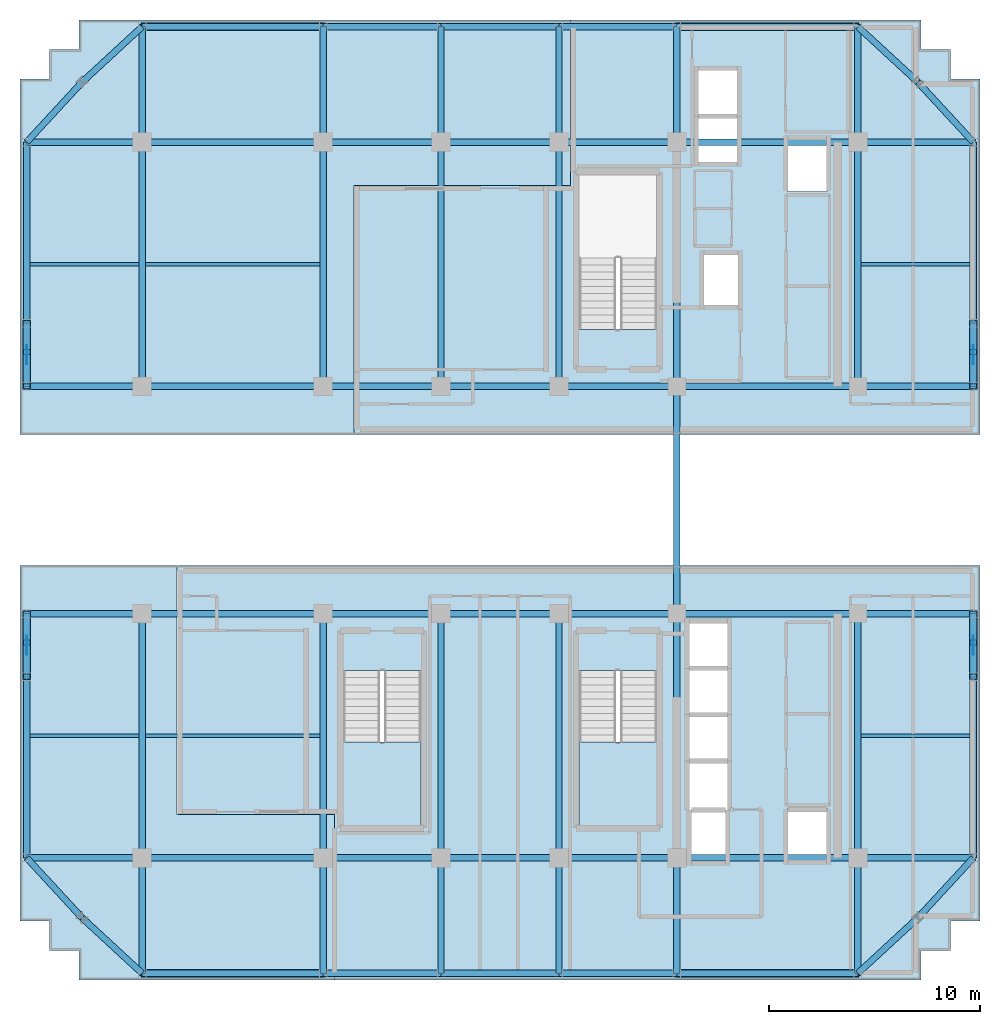
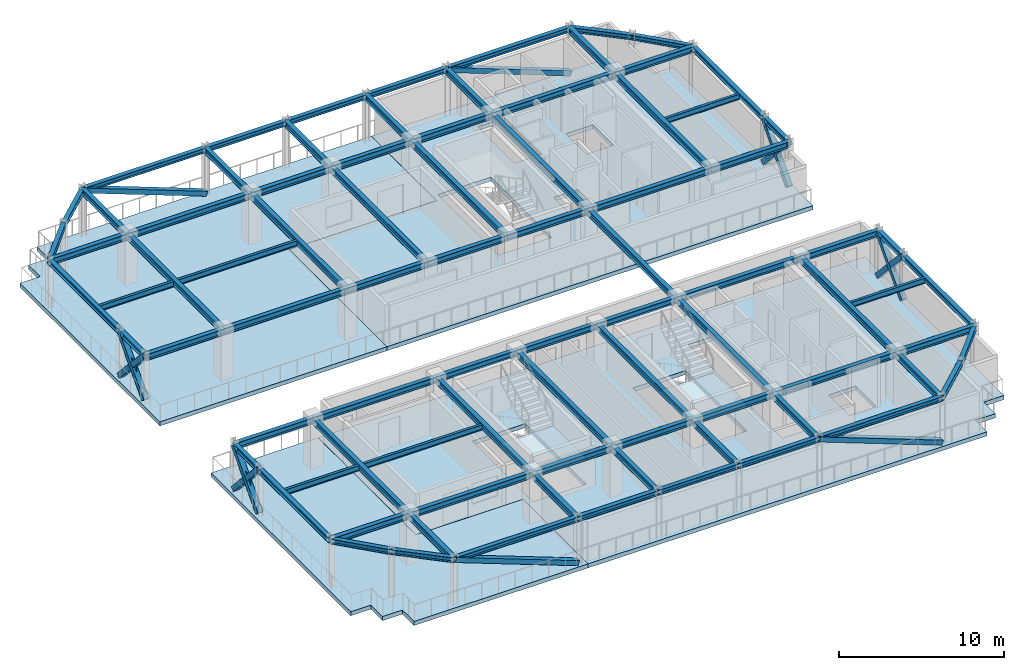
# One storey, part 4 of 14: 85 beams, 16 members, 6 slabs, 4 plates, 2 elements without a shape of their own.
"""IFC4 building model written with IfcOpenShell, lengths in metres."""

from ifc_helpers import new_model, si_unit, direction, frame, origin, origin_2d, place, context, subcontext, project, spatial, polyline, rectangle, hollow_rectangle, i_section, outline, extrude, source, transform, mapped, material, layer, layer_set, material_profile, profile_set, type_object, element, aggregate, save


model = new_model("IFC4")

# Units and contexts
model_context = context("Model", 3, precision=1e-05, world=origin(), true_north=direction((0.0, 1.0)))
body_context = subcontext(model_context, "Body", "Model", "MODEL_VIEW")
ifc_project = project(units=[si_unit("LENGTHUNIT", "METRE"), si_unit("AREAUNIT", "SQUARE_METRE"), si_unit("VOLUMEUNIT", "CUBIC_METRE"), si_unit("PLANEANGLEUNIT", "RADIAN"), si_unit("MASSUNIT", "GRAM", prefix="KILO")], contexts=[model_context])

# Site, building, storey
site_placement = place(None, origin())
site = spatial("IfcSite", under=ifc_project, at=site_placement, CompositionType="ELEMENT")
building_placement = place(site_placement, origin())
building = spatial("IfcBuilding", under=site, at=building_placement, Name="Nahalor Promenade Grand Hotel", CompositionType="ELEMENT")
storey_placement = place(building_placement, frame((0.0, 0.0, 300.35009765625)))
storey = spatial("IfcBuildingStorey", under=building, at=storey_placement, Name="L77", CompositionType="ELEMENT", Elevation=300.35009765625)

# Beams
ifc_material_1 = material(Name="Steel S355JR", Category="steel")
ifc_material_profile_1 = material_profile(ifc_material_1, i_section(OverallWidth=0.3, OverallDepth=0.45, WebThickness=0.014, FlangeThickness=0.026, at=origin_2d()), Name="HEB 450")
ifc_profile_set_1 = profile_set([ifc_material_profile_1], Name="Steel S355JR")
beam_type_1 = type_object("IfcBeamType", Name="Beam-Girder-HEB450", PredefinedType="BEAM", material=ifc_profile_set_1)
shared_shape_1 = source(origin(), body_context, "Body", "SweptSolid", [
    extrude(i_section(OverallWidth=0.3, OverallDepth=0.45, WebThickness=0.014, FlangeThickness=0.026, at=origin_2d()), origin(), (0.0, 0.0, 1.0), 8.60009765625),
])
for number, where, z_axis, x_axis, name in (
    (1, (-17.0, -17.0, 3.324951171875), (1.0, 0.0, 0.0), (0.0, 1.0, 0.0), "BM-L77-GX-0-1"),
    (2, (8.39990234375, -17.0, 3.324951171875), (1.0, 0.0, 0.0), (0.0, 1.0, 0.0), "BM-L77-GX-0-5"),
    (3, (-17.0, -5.39990234375, 3.324951171875), (1.0, 0.0, 0.0), (0.0, 1.0, 0.0), "BM-L77-GX-1-1"),
    (4, (8.39990234375, -5.39990234375, 3.324951171875), (1.0, 0.0, 0.0), (0.0, 1.0, 0.0), "BM-L77-GX-1-5"),
    (5, (-17.0, 5.39990234375, 3.324951171875), (1.0, 0.0, 0.0), (0.0, 1.0, 0.0), "BM-L77-GX-2-1"),
    (6, (8.39990234375, 5.39990234375, 3.324951171875), (1.0, 0.0, 0.0), (0.0, 1.0, 0.0), "BM-L77-GX-2-5"),
    (7, (-17.0, 17.0, 3.324951171875), (1.0, 0.0, 0.0), (0.0, 1.0, 0.0), "BM-L77-GX-3-1"),
    (8, (8.39990234375, 17.0, 3.324951171875), (1.0, 0.0, 0.0), (0.0, 1.0, 0.0), "BM-L77-GX-3-5"),
):
    element("IfcBeam", number, at=place(storey_placement, frame(where, z_axis=z_axis, x_axis=x_axis)), inside=storey, type_object=beam_type_1, Name=name, PredefinedType="BEAM", context=body_context, shape_type="MappedRepresentation", body=[
        mapped(shared_shape_1, transform((0.0, 0.0, 0.0), scale=1.0)),
    ])
shared_shape_2 = source(origin(), body_context, "Body", "SweptSolid", [
    extrude(i_section(OverallWidth=0.3, OverallDepth=0.45, WebThickness=0.014, FlangeThickness=0.026, at=origin_2d()), origin(), (0.0, 0.0, 1.0), 5.599853515625),
])
for number, where, z_axis, x_axis, name in (
    (9, (-8.39990234375, -17.0, 3.324951171875), (1.0, 0.0, 0.0), (0.0, 1.0, 0.0), "BM-L77-GX-0-2"),
    (10, (2.800048828125, -17.0, 3.324951171875), (1.0, 0.0, 0.0), (0.0, 1.0, 0.0), "BM-L77-GX-0-4"),
    (11, (-8.39990234375, -5.39990234375, 3.324951171875), (1.0, 0.0, 0.0), (0.0, 1.0, 0.0), "BM-L77-GX-1-2"),
    (12, (2.800048828125, -5.39990234375, 3.324951171875), (1.0, 0.0, 0.0), (0.0, 1.0, 0.0), "BM-L77-GX-1-4"),
    (13, (-8.39990234375, 5.39990234375, 3.324951171875), (1.0, 0.0, 0.0), (0.0, 1.0, 0.0), "BM-L77-GX-2-2"),
    (14, (2.800048828125, 5.39990234375, 3.324951171875), (1.0, 0.0, 0.0), (0.0, 1.0, 0.0), "BM-L77-GX-2-4"),
    (15, (-8.39990234375, 17.0, 3.324951171875), (1.0, 0.0, 0.0), (0.0, 1.0, 0.0), "BM-L77-GX-3-2"),
    (16, (2.800048828125, 17.0, 3.324951171875), (1.0, 0.0, 0.0), (0.0, 1.0, 0.0), "BM-L77-GX-3-4"),
):
    element("IfcBeam", number, at=place(storey_placement, frame(where, z_axis=z_axis, x_axis=x_axis)), inside=storey, type_object=beam_type_1, Name=name, PredefinedType="BEAM", context=body_context, shape_type="MappedRepresentation", body=[
        mapped(shared_shape_2, transform((0.0, 0.0, 0.0), scale=1.0)),
    ])
shared_shape_3 = source(origin(), body_context, "Body", "SweptSolid", [
    extrude(i_section(OverallWidth=0.3, OverallDepth=0.45, WebThickness=0.014, FlangeThickness=0.026, at=origin_2d()), origin(), (0.0, 0.0, 1.0), 5.60009765625),
])
for number, where, z_axis, x_axis, name in (
    (17, (-2.800048828125, -17.0, 3.324951171875), (1.0, 0.0, 0.0), (0.0, 1.0, 0.0), "BM-L77-GX-0-3"),
    (18, (-2.800048828125, -5.39990234375, 3.324951171875), (1.0, 0.0, 0.0), (0.0, 1.0, 0.0), "BM-L77-GX-1-3"),
    (19, (-2.800048828125, 5.39990234375, 3.324951171875), (1.0, 0.0, 0.0), (0.0, 1.0, 0.0), "BM-L77-GX-2-3"),
    (20, (-2.800048828125, 17.0, 3.324951171875), (1.0, 0.0, 0.0), (0.0, 1.0, 0.0), "BM-L77-GX-3-3"),
):
    element("IfcBeam", number, at=place(storey_placement, frame(where, z_axis=z_axis, x_axis=x_axis)), inside=storey, type_object=beam_type_1, Name=name, PredefinedType="BEAM", context=body_context, shape_type="MappedRepresentation", body=[
        mapped(shared_shape_3, transform((0.0, 0.0, 0.0), scale=1.0)),
    ])
shared_shape_4 = source(origin(), body_context, "Body", "SweptSolid", [
    extrude(i_section(OverallWidth=0.3, OverallDepth=0.45, WebThickness=0.014, FlangeThickness=0.026, at=origin_2d()), origin(), (0.0, 0.0, 1.0), 11.60009765625),
])
for number, where, z_axis, x_axis, name in (
    (21, (-17.0, -17.0, 3.324951171875), (0.0, 1.0, 0.0), (-1.0, 0.0, 0.0), "BM-L77-GY-0-1"),
    (22, (-17.0, 5.39990234375, 3.324951171875), (0.0, 1.0, 0.0), (-1.0, 0.0, 0.0), "BM-L77-GY-0-3"),
    (23, (-8.39990234375, -17.0, 3.324951171875), (0.0, 1.0, 0.0), (-1.0, 0.0, 0.0), "BM-L77-GY-1-1"),
    (24, (-8.39990234375, 5.39990234375, 3.324951171875), (0.0, 1.0, 0.0), (-1.0, 0.0, 0.0), "BM-L77-GY-1-3"),
    (25, (-2.800048828125, -17.0, 3.324951171875), (0.0, 1.0, 0.0), (-1.0, 0.0, 0.0), "BM-L77-GY-2-1"),
    (26, (-2.800048828125, 5.39990234375, 3.324951171875), (0.0, 1.0, 0.0), (-1.0, 0.0, 0.0), "BM-L77-GY-2-3"),
    (27, (2.800048828125, -17.0, 3.324951171875), (0.0, 1.0, 0.0), (-1.0, 0.0, 0.0), "BM-L77-GY-3-1"),
    (28, (2.800048828125, 5.39990234375, 3.324951171875), (0.0, 1.0, 0.0), (-1.0, 0.0, 0.0), "BM-L77-GY-3-3"),
    (29, (8.39990234375, -17.0, 3.324951171875), (0.0, 1.0, 0.0), (-1.0, 0.0, 0.0), "BM-L77-GY-4-1"),
    (30, (8.39990234375, 5.39990234375, 3.324951171875), (0.0, 1.0, 0.0), (-1.0, 0.0, 0.0), "BM-L77-GY-4-3"),
    (31, (17.0, -17.0, 3.324951171875), (0.0, 1.0, 0.0), (-1.0, 0.0, 0.0), "BM-L77-GY-5-1"),
    (32, (17.0, 5.39990234375, 3.324951171875), (0.0, 1.0, 0.0), (-1.0, 0.0, 0.0), "BM-L77-GY-5-3"),
):
    element("IfcBeam", number, at=place(storey_placement, frame(where, z_axis=z_axis, x_axis=x_axis)), inside=storey, type_object=beam_type_1, Name=name, PredefinedType="BEAM", context=body_context, shape_type="MappedRepresentation", body=[
        mapped(shared_shape_4, transform((0.0, 0.0, 0.0), scale=1.0)),
    ])
shared_shape_5 = source(origin(), body_context, "Body", "SweptSolid", [
    extrude(i_section(OverallWidth=0.3, OverallDepth=0.45, WebThickness=0.014, FlangeThickness=0.026, at=origin_2d()), origin(), (0.0, 0.0, 1.0), 10.7998046875),
])
beam_placement = place(storey_placement, frame((8.39990234375, -5.39990234375, 3.324951171875), z_axis=(0.0, 1.0, 0.0), x_axis=(-1.0, 0.0, 0.0)))
element("IfcBeam", 33, at=beam_placement, inside=storey, type_object=beam_type_1, Name="BM-L77-GY-4-2", PredefinedType="BEAM", context=body_context, shape_type="MappedRepresentation", body=[
    mapped(shared_shape_5, transform((0.0, 0.0, 0.0), scale=1.0)),
])
ifc_material_profile_2 = material_profile(ifc_material_1, i_section(OverallWidth=0.18, OverallDepth=0.4, WebThickness=0.0086, FlangeThickness=0.0135, at=origin_2d()), Name="IPE 400")
ifc_profile_set_2 = profile_set([ifc_material_profile_2], Name="Steel S355JR")
beam_type_2 = type_object("IfcBeamType", Name="Beam-Joist-IPE400", PredefinedType="JOIST", material=ifc_profile_set_2)
shared_shape_6 = source(origin(), body_context, "Body", "SweptSolid", [
    extrude(i_section(OverallWidth=0.18, OverallDepth=0.4, WebThickness=0.0086, FlangeThickness=0.0135, at=origin_2d()), origin(), (0.0, 0.0, 1.0), 8.300048828125),
])
for number, where, z_axis, x_axis, name in (
    (34, (-16.85009765625, -11.199951171875, 3.349853515625), (1.0, 0.0, 0.0), (0.0, 1.0, 0.0), "BM-L77-JSW-0-1"),
    (35, (-16.85009765625, 11.199951171875, 3.349853515625), (1.0, 0.0, 0.0), (0.0, 1.0, 0.0), "BM-L77-JSW-1-1"),
):
    element("IfcBeam", number, at=place(storey_placement, frame(where, z_axis=z_axis, x_axis=x_axis)), inside=storey, type_object=beam_type_2, Name=name, PredefinedType="JOIST", context=body_context, shape_type="MappedRepresentation", body=[
        mapped(shared_shape_6, transform((0.0, 0.0, 0.0), scale=1.0)),
    ])
shared_shape_7 = source(origin(), body_context, "Body", "SweptSolid", [
    extrude(i_section(OverallWidth=0.3, OverallDepth=0.45, WebThickness=0.014, FlangeThickness=0.026, at=origin_2d()), origin(), (0.0, 0.0, 1.0), 5.47998046875),
])
for number, where, z_axis, x_axis, name in (
    (36, (-22.47998046875, -17.0, 3.324951171875), (1.0, 0.0, 0.0), (0.0, 1.0, 0.0), "BM-L77-GX-0-0"),
    (37, (17.0, -17.0, 3.324951171875), (1.0, 0.0, 0.0), (0.0, 1.0, 0.0), "BM-L77-GX-0-6"),
    (38, (-22.47998046875, -5.39990234375, 3.324951171875), (1.0, 0.0, 0.0), (0.0, 1.0, 0.0), "BM-L77-GX-1-0"),
    (39, (17.0, -5.39990234375, 3.324951171875), (1.0, 0.0, 0.0), (0.0, 1.0, 0.0), "BM-L77-GX-1-6"),
    (40, (-22.47998046875, 5.39990234375, 3.324951171875), (1.0, 0.0, 0.0), (0.0, 1.0, 0.0), "BM-L77-GX-2-0"),
    (41, (17.0, 5.39990234375, 3.324951171875), (1.0, 0.0, 0.0), (0.0, 1.0, 0.0), "BM-L77-GX-2-6"),
    (42, (-22.47998046875, 17.0, 3.324951171875), (1.0, 0.0, 0.0), (0.0, 1.0, 0.0), "BM-L77-GX-3-0"),
    (43, (17.0, 17.0, 3.324951171875), (1.0, 0.0, 0.0), (0.0, 1.0, 0.0), "BM-L77-GX-3-6"),
    (44, (-17.0, -22.47998046875, 3.324951171875), (0.0, 1.0, 0.0), (-1.0, 0.0, 0.0), "BM-L77-GY-0-0"),
    (45, (-17.0, 17.0, 3.324951171875), (0.0, 1.0, 0.0), (-1.0, 0.0, 0.0), "BM-L77-GY-0-4"),
    (46, (-8.39990234375, -22.47998046875, 3.324951171875), (0.0, 1.0, 0.0), (-1.0, 0.0, 0.0), "BM-L77-GY-1-0"),
    (47, (-8.39990234375, 17.0, 3.324951171875), (0.0, 1.0, 0.0), (-1.0, 0.0, 0.0), "BM-L77-GY-1-4"),
    (48, (-2.800048828125, -22.47998046875, 3.324951171875), (0.0, 1.0, 0.0), (-1.0, 0.0, 0.0), "BM-L77-GY-2-0"),
    (49, (-2.800048828125, 17.0, 3.324951171875), (0.0, 1.0, 0.0), (-1.0, 0.0, 0.0), "BM-L77-GY-2-4"),
    (50, (2.800048828125, -22.47998046875, 3.324951171875), (0.0, 1.0, 0.0), (-1.0, 0.0, 0.0), "BM-L77-GY-3-0"),
    (51, (2.800048828125, 17.0, 3.324951171875), (0.0, 1.0, 0.0), (-1.0, 0.0, 0.0), "BM-L77-GY-3-4"),
    (52, (8.39990234375, -22.47998046875, 3.324951171875), (0.0, 1.0, 0.0), (-1.0, 0.0, 0.0), "BM-L77-GY-4-0"),
    (53, (8.39990234375, 17.0, 3.324951171875), (0.0, 1.0, 0.0), (-1.0, 0.0, 0.0), "BM-L77-GY-4-4"),
    (54, (17.0, -22.47998046875, 3.324951171875), (0.0, 1.0, 0.0), (-1.0, 0.0, 0.0), "BM-L77-GY-5-0"),
    (55, (17.0, 17.0, 3.324951171875), (0.0, 1.0, 0.0), (-1.0, 0.0, 0.0), "BM-L77-GY-5-4"),
):
    element("IfcBeam", number, at=place(storey_placement, frame(where, z_axis=z_axis, x_axis=x_axis)), inside=storey, type_object=beam_type_1, Name=name, PredefinedType="BEAM", context=body_context, shape_type="MappedRepresentation", body=[
        mapped(shared_shape_7, transform((0.0, 0.0, 0.0), scale=1.0)),
    ])
shared_shape_8 = source(origin(), body_context, "Body", "SweptSolid", [
    extrude(i_section(OverallWidth=0.18, OverallDepth=0.4, WebThickness=0.0086, FlangeThickness=0.0135, at=origin_2d()), origin(), (0.0, 0.0, 1.0), 5.18017578125),
])
for number, where, z_axis, x_axis, name in (
    (56, (-22.330078125, -11.199951171875, 3.349853515625), (1.0, 0.0, 0.0), (0.0, 1.0, 0.0), "BM-L77-JSW-0-0"),
    (57, (17.14990234375, -11.199951171875, 3.349853515625), (1.0, 0.0, 0.0), (0.0, 1.0, 0.0), "BM-L77-JSE-0-2"),
    (58, (-22.330078125, 11.199951171875, 3.349853515625), (1.0, 0.0, 0.0), (0.0, 1.0, 0.0), "BM-L77-JSW-1-0"),
    (59, (17.14990234375, 11.199951171875, 3.349853515625), (1.0, 0.0, 0.0), (0.0, 1.0, 0.0), "BM-L77-JSE-1-2"),
):
    element("IfcBeam", number, at=place(storey_placement, frame(where, z_axis=z_axis, x_axis=x_axis)), inside=storey, type_object=beam_type_2, Name=name, PredefinedType="JOIST", context=body_context, shape_type="MappedRepresentation", body=[
        mapped(shared_shape_8, transform((0.0, 0.0, 0.0), scale=1.0)),
    ])
ifc_material_profile_3 = material_profile(ifc_material_1, i_section(OverallWidth=0.3, OverallDepth=0.36, WebThickness=0.0125, FlangeThickness=0.0225, at=origin_2d()), Name="HEB 360")
ifc_profile_set_3 = profile_set([ifc_material_profile_3], Name="Steel S355JR")
beam_type_3 = type_object("IfcBeamType", Name="Beam-Spandrel-HEB360", PredefinedType="SPANDREL", material=ifc_profile_set_3)
shared_shape_9 = source(origin(), body_context, "Body", "SweptSolid", [
    extrude(i_section(OverallWidth=0.3, OverallDepth=0.36, WebThickness=0.0125, FlangeThickness=0.0225, at=origin_2d()), origin(), (0.0, 0.0, 1.0), 8.60009765625),
])
for number, where, z_axis, x_axis, name in (
    (60, (-17.0, -22.47998046875, 3.369873046875), (1.0, 0.0, 0.0), (0.0, 1.0, 0.0), "BM-L77-SP-S-0"),
    (61, (8.39990234375, -22.47998046875, 3.369873046875), (1.0, 0.0, 0.0), (0.0, 1.0, 0.0), "BM-L77-SP-S-4"),
    (62, (-17.0, 22.47998046875, 3.369873046875), (1.0, 0.0, 0.0), (0.0, 1.0, 0.0), "BM-L77-SP-N-0"),
    (63, (8.39990234375, 22.47998046875, 3.369873046875), (1.0, 0.0, 0.0), (0.0, 1.0, 0.0), "BM-L77-SP-N-4"),
    (64, (-22.47998046875, -17.0, 3.369873046875), (0.0, 1.0, 0.0), (-1.0, 0.0, 0.0), "BM-L77-SP-W-0"),
    (65, (-22.47998046875, 8.39990234375, 3.369873046875), (0.0, 1.0, 0.0), (-1.0, 0.0, 0.0), "BM-L77-SP-W-4"),
    (66, (22.47998046875, -17.0, 3.369873046875), (0.0, 1.0, 0.0), (-1.0, 0.0, 0.0), "BM-L77-SP-E-0"),
    (67, (22.47998046875, 8.39990234375, 3.369873046875), (0.0, 1.0, 0.0), (-1.0, 0.0, 0.0), "BM-L77-SP-E-4"),
):
    element("IfcBeam", number, at=place(storey_placement, frame(where, z_axis=z_axis, x_axis=x_axis)), inside=storey, type_object=beam_type_3, Name=name, PredefinedType="SPANDREL", context=body_context, shape_type="MappedRepresentation", body=[
        mapped(shared_shape_9, transform((0.0, 0.0, 0.0), scale=1.0)),
    ])
shared_shape_10 = source(origin(), body_context, "Body", "SweptSolid", [
    extrude(i_section(OverallWidth=0.3, OverallDepth=0.36, WebThickness=0.0125, FlangeThickness=0.0225, at=origin_2d()), origin(), (0.0, 0.0, 1.0), 5.599853515625),
])
for number, where, z_axis, x_axis, name in (
    (68, (-8.39990234375, -22.47998046875, 3.369873046875), (1.0, 0.0, 0.0), (0.0, 1.0, 0.0), "BM-L77-SP-S-1"),
    (69, (2.800048828125, -22.47998046875, 3.369873046875), (1.0, 0.0, 0.0), (0.0, 1.0, 0.0), "BM-L77-SP-S-3"),
    (70, (-8.39990234375, 22.47998046875, 3.369873046875), (1.0, 0.0, 0.0), (0.0, 1.0, 0.0), "BM-L77-SP-N-1"),
    (71, (2.800048828125, 22.47998046875, 3.369873046875), (1.0, 0.0, 0.0), (0.0, 1.0, 0.0), "BM-L77-SP-N-3"),
):
    element("IfcBeam", number, at=place(storey_placement, frame(where, z_axis=z_axis, x_axis=x_axis)), inside=storey, type_object=beam_type_3, Name=name, PredefinedType="SPANDREL", context=body_context, shape_type="MappedRepresentation", body=[
        mapped(shared_shape_10, transform((0.0, 0.0, 0.0), scale=1.0)),
    ])
shared_shape_11 = source(origin(), body_context, "Body", "SweptSolid", [
    extrude(i_section(OverallWidth=0.3, OverallDepth=0.36, WebThickness=0.0125, FlangeThickness=0.0225, at=origin_2d()), origin(), (0.0, 0.0, 1.0), 5.60009765625),
])
for number, where, z_axis, x_axis, name in (
    (72, (-2.800048828125, -22.47998046875, 3.369873046875), (1.0, 0.0, 0.0), (0.0, 1.0, 0.0), "BM-L77-SP-S-2"),
    (73, (-2.800048828125, 22.47998046875, 3.369873046875), (1.0, 0.0, 0.0), (0.0, 1.0, 0.0), "BM-L77-SP-N-2"),
):
    element("IfcBeam", number, at=place(storey_placement, frame(where, z_axis=z_axis, x_axis=x_axis)), inside=storey, type_object=beam_type_3, Name=name, PredefinedType="SPANDREL", context=body_context, shape_type="MappedRepresentation", body=[
        mapped(shared_shape_11, transform((0.0, 0.0, 0.0), scale=1.0)),
    ])
shared_shape_12 = source(origin(), body_context, "Body", "SweptSolid", [
    extrude(i_section(OverallWidth=0.3, OverallDepth=0.36, WebThickness=0.0125, FlangeThickness=0.0225, at=origin_2d()), origin(), (0.0, 0.0, 1.0), 3.0),
])
for number, where, z_axis, x_axis, name in (
    (74, (-22.47998046875, -8.39990234375, 3.369873046875), (0.0, 1.0, 0.0), (-1.0, 0.0, 0.0), "BM-L77-SP-W-1"),
    (75, (-22.47998046875, 5.39990234375, 3.369873046875), (0.0, 1.0, 0.0), (-1.0, 0.0, 0.0), "BM-L77-SP-W-3"),
    (76, (22.47998046875, -8.39990234375, 3.369873046875), (0.0, 1.0, 0.0), (-1.0, 0.0, 0.0), "BM-L77-SP-E-1"),
    (77, (22.47998046875, 5.39990234375, 3.369873046875), (0.0, 1.0, 0.0), (-1.0, 0.0, 0.0), "BM-L77-SP-E-3"),
):
    element("IfcBeam", number, at=place(storey_placement, frame(where, z_axis=z_axis, x_axis=x_axis)), inside=storey, type_object=beam_type_3, Name=name, PredefinedType="SPANDREL", context=body_context, shape_type="MappedRepresentation", body=[
        mapped(shared_shape_12, transform((0.0, 0.0, 0.0), scale=1.0)),
    ])
shared_shape_13 = source(origin(), body_context, "Body", "SweptSolid", [
    extrude(i_section(OverallWidth=0.3, OverallDepth=0.36, WebThickness=0.0125, FlangeThickness=0.0225, at=origin_2d()), origin(), (0.0, 0.0, 1.0), 3.878173828125),
])
for number, where, z_axis, x_axis, name in (
    (78, (-17.0, -22.47998046875, 3.369873046875), (-0.73492893846, 0.678144125843, 0.0), (-0.678144125843, -0.73492893846, 0.0), "BM-L77-SPC-SW-1"),
    (79, (-19.85009765625, -19.85009765625, 3.369873046875), (-0.678144125843, 0.73492893846, 0.0), (-0.73492893846, -0.678144125843, 0.0), "BM-L77-SPC-SW-2"),
    (80, (-17.0, 22.47998046875, 3.369873046875), (-0.73492893846, -0.678144125843, 0.0), (0.678144125843, -0.73492893846, 0.0), "BM-L77-SPC-NW-1"),
    (81, (-19.85009765625, 19.85009765625, 3.369873046875), (-0.678144125843, -0.73492893846, 0.0), (0.73492893846, -0.678144125843, 0.0), "BM-L77-SPC-NW-2"),
    (82, (17.0, -22.47998046875, 3.369873046875), (0.73492893846, 0.678144125843, 0.0), (-0.678144125843, 0.73492893846, 0.0), "BM-L77-SPC-SE-1"),
    (83, (19.85009765625, -19.85009765625, 3.369873046875), (0.678144125843, 0.73492893846, 0.0), (-0.73492893846, 0.678144125843, 0.0), "BM-L77-SPC-SE-2"),
    (84, (17.0, 22.47998046875, 3.369873046875), (0.73492893846, -0.678144125843, 0.0), (0.678144125843, 0.73492893846, 0.0), "BM-L77-SPC-NE-1"),
    (85, (19.85009765625, 19.85009765625, 3.369873046875), (0.678144125843, -0.73492893846, 0.0), (0.73492893846, 0.678144125843, 0.0), "BM-L77-SPC-NE-2"),
):
    element("IfcBeam", number, at=place(storey_placement, frame(where, z_axis=z_axis, x_axis=x_axis)), inside=storey, type_object=beam_type_3, Name=name, PredefinedType="SPANDREL", context=body_context, shape_type="MappedRepresentation", body=[
        mapped(shared_shape_13, transform((0.0, 0.0, 0.0), scale=1.0)),
    ])

# Members
ifc_material_profile_4 = material_profile(ifc_material_1, hollow_rectangle(XDim=0.35, YDim=0.35, WallThickness=0.02, at=origin_2d()), Name="SHS 350x350x20")
ifc_profile_set_4 = profile_set([ifc_material_profile_4], Name="Steel S355JR")
member_type = type_object("IfcMemberType", Name="Mem-VoidBrace-SHS350", PredefinedType="BRACE", material=ifc_profile_set_4)
shared_shape_14 = source(origin(), body_context, "Body", "SweptSolid", [
    extrude(hollow_rectangle(XDim=0.35, YDim=0.35, WallThickness=0.02, at=origin_2d()), origin(), (0.0, 0.0, 1.0), 9.193603515625),
])
for number, where, z_axis, x_axis, name in (
    (86, (-8.39990234375, -22.47998046875, 0.14990234375), (-0.935433460247, 0.0, 0.353502816749), (0.0, -1.0, 0.0), "EXO-L77-S-0"),
    (87, (17.0, -22.47998046875, 0.14990234375), (-0.935433460247, 0.0, 0.353502816749), (0.0, -1.0, 0.0), "EXO-L77-S-1"),
    (88, (-8.39990234375, 22.47998046875, 0.14990234375), (-0.935433460247, 0.0, 0.353502816749), (0.0, -1.0, 0.0), "EXO-L77-N-0"),
    (89, (17.0, 22.47998046875, 0.14990234375), (-0.935433460247, 0.0, 0.353502816749), (0.0, -1.0, 0.0), "EXO-L77-N-1"),
):
    element("IfcMember", number, at=place(storey_placement, frame(where, z_axis=z_axis, x_axis=x_axis)), inside=storey, type_object=member_type, Name=name, PredefinedType="BRACE", context=body_context, shape_type="MappedRepresentation", body=[
        mapped(shared_shape_14, transform((0.0, 0.0, 0.0), scale=1.0)),
    ])
shared_shape_15 = source(origin(), body_context, "Body", "SweptSolid", [
    extrude(hollow_rectangle(XDim=0.35, YDim=0.35, WallThickness=0.02, at=origin_2d()), origin(), (0.0, 0.0, 1.0), 4.4228515625),
])
for number, where, z_axis, x_axis, name in (
    (90, (-22.47998046875, -8.39990234375, 0.14990234375), (0.0, 0.678280102733, 0.734803444627), (-1.0, 0.0, 0.0), "EXO-L77-VX1-W0"),
    (91, (-22.47998046875, 5.39990234375, 0.14990234375), (0.0, 0.678280102733, 0.734803444627), (-1.0, 0.0, 0.0), "EXO-L77-VX1-W1"),
    (92, (22.47998046875, -8.39990234375, 0.14990234375), (0.0, 0.678280102733, 0.734803444627), (-1.0, 0.0, 0.0), "EXO-L77-VX1-E0"),
    (93, (22.47998046875, 5.39990234375, 0.14990234375), (0.0, 0.678280102733, 0.734803444627), (-1.0, 0.0, 0.0), "EXO-L77-VX1-E1"),
):
    element("IfcMember", number, at=place(storey_placement, frame(where, z_axis=z_axis, x_axis=x_axis)), inside=storey, type_object=member_type, Name=name, PredefinedType="BRACE", context=body_context, shape_type="MappedRepresentation", body=[
        mapped(shared_shape_15, transform((0.0, 0.0, 0.0), scale=1.0)),
    ])
shared_shape_16 = source(origin(), body_context, "Body", "SweptSolid", [
    extrude(hollow_rectangle(XDim=0.35, YDim=0.35, WallThickness=0.02, at=origin_2d()), origin(), (0.0, 0.0, 1.0), 2.02392578125),
])
for number, where, z_axis, x_axis, name in (
    (94, (-22.47998046875, -5.39990234375, 0.14990234375), (0.0, -0.678255053132, 0.734826566545), (1.0, 0.0, 0.0), "EXO-L77-VX2-W0A"),
    (95, (-22.47998046875, -7.027099609375, 1.91259765625), (0.0, -0.678255053132, 0.734826566545), (1.0, 0.0, 0.0), "EXO-L77-VX2-W0B"),
    (96, (-22.47998046875, 8.39990234375, 0.14990234375), (0.0, -0.678255053132, 0.734826566545), (1.0, 0.0, 0.0), "EXO-L77-VX2-W1A"),
    (97, (-22.47998046875, 6.772705078125, 1.91259765625), (0.0, -0.678255053132, 0.734826566545), (1.0, 0.0, 0.0), "EXO-L77-VX2-W1B"),
    (98, (22.47998046875, -5.39990234375, 0.14990234375), (0.0, -0.678255053132, 0.734826566545), (1.0, 0.0, 0.0), "EXO-L77-VX2-E0A"),
    (99, (22.47998046875, -7.027099609375, 1.91259765625), (0.0, -0.678255053132, 0.734826566545), (1.0, 0.0, 0.0), "EXO-L77-VX2-E0B"),
    (100, (22.47998046875, 8.39990234375, 0.14990234375), (0.0, -0.678255053132, 0.734826566545), (1.0, 0.0, 0.0), "EXO-L77-VX2-E1A"),
    (101, (22.47998046875, 6.772705078125, 1.91259765625), (0.0, -0.678255053132, 0.734826566545), (1.0, 0.0, 0.0), "EXO-L77-VX2-E1B"),
):
    element("IfcMember", number, at=place(storey_placement, frame(where, z_axis=z_axis, x_axis=x_axis)), inside=storey, type_object=member_type, Name=name, PredefinedType="BRACE", context=body_context, shape_type="MappedRepresentation", body=[
        mapped(shared_shape_16, transform((0.0, 0.0, 0.0), scale=1.0)),
    ])

# Stair, slab
ifc_material_2 = material(Name="Concrete B-50 (C40/50)", Category="concrete")
stair_type_1 = type_object("IfcStairType", Name="Stair-ST2", PredefinedType="HALF_TURN_STAIR", material=ifc_material_2)
stair_1_placement = place(storey_placement, origin())
stair_1 = element("IfcStair", 102, at=stair_1_placement, inside=storey, type_object=stair_type_1, Name="L77 ST2", PredefinedType="HALF_TURN_STAIR")
ifc_layer_1 = layer(ifc_material_2, 0.2099609375)
ifc_layer_set_1 = layer_set([ifc_layer_1], Name="Concrete B-50 (C40/50)")
slab_type_1 = type_object("IfcSlabType", Name="Landing-ST2", PredefinedType="LANDING", material=ifc_layer_set_1)
slab_1_placement = place(storey_placement, frame((0.0, 0.0, 1.71484375)))
slab_1 = element("IfcSlab", 103, at=slab_1_placement, type_object=slab_type_1, Name="ST2 landing 1", PredefinedType="LANDING", context=body_context, shape_type="SweptSolid", body=[
    extrude(outline(polyline([(3.75, -11.5), (3.75, -15.449951171875), (7.449951171875, -15.449951171875), (7.449951171875, -11.5), (3.75, -11.5)])), origin(), (0.0, 0.0, 1.0), 0.2099609375),
])
aggregate(stair_1, [slab_1])

stair_type_2 = type_object("IfcStairType", Name="Stair-ST3", PredefinedType="HALF_TURN_STAIR", material=ifc_material_2)
stair_2_placement = place(storey_placement, origin())
stair_2 = element("IfcStair", 104, at=stair_2_placement, inside=storey, type_object=stair_type_2, Name="L77 ST3", PredefinedType="HALF_TURN_STAIR")
ifc_layer_2 = layer(ifc_material_2, 0.219970703125)
ifc_layer_set_2 = layer_set([ifc_layer_2], Name="Concrete B-50 (C40/50)")
slab_type_2 = type_object("IfcSlabType", Name="Landing-ST3", PredefinedType="LANDING", material=ifc_layer_set_2)
slab_2_placement = place(storey_placement, frame((0.0, 0.0, 1.704833984375)))
slab_2 = element("IfcSlab", 105, at=slab_2_placement, type_object=slab_type_2, Name="ST3 landing 1", PredefinedType="LANDING", context=body_context, shape_type="SweptSolid", body=[
    extrude(outline(polyline([(-7.449951171875, -11.5), (-7.449951171875, -15.449951171875), (-3.75, -15.449951171875), (-3.75, -11.5), (-7.449951171875, -11.5)])), origin(), (0.0, 0.0, 1.0), 0.219970703125),
])
aggregate(stair_2, [slab_2])

# Slabs
ifc_layer_3 = layer(ifc_material_2, 0.300048828125)
ifc_layer_set_3 = layer_set([ifc_layer_3], Name="Concrete B-50 (C40/50)")
slab_type_3 = type_object("IfcSlabType", Name="Slab-TowerZ5-300", PredefinedType="FLOOR", material=ifc_layer_set_3)
slab_3_placement = place(storey_placement, frame((0.0, 0.0, -0.300048828125)))
element("IfcSlab", 106, at=slab_3_placement, inside=storey, type_object=slab_type_3, Name="L77 Wind Portal South Indoor Floor Slab", PredefinedType="FLOOR", context=body_context, shape_type="SweptSolid", body=[
    extrude(outline(polyline([(22.800048828125, -3.10009765625), (-15.330078125, -3.10009765625), (-15.330078125, -14.929931640625), (-7.85009765625, -14.929931640625), (-7.85009765625, -22.800048828125), (20.0, -22.800048828125), (20.0, -21.39990234375), (21.39990234375, -21.39990234375), (21.39990234375, -20.0), (22.800048828125, -20.0), (22.800048828125, -3.10009765625)]), holes=[polyline([(3.75, -15.449951171875), (7.449951171875, -15.449951171875), (7.449951171875, -8.10009765625), (3.75, -8.10009765625), (3.75, -15.449951171875)]), polyline([(-7.449951171875, -15.449951171875), (-3.75, -15.449951171875), (-3.75, -8.10009765625), (-7.449951171875, -8.10009765625), (-7.449951171875, -15.449951171875)]), polyline([(8.9599609375, -17.18994140625), (10.840087890625, -17.18994140625), (10.840087890625, -5.81005859375), (8.9599609375, -5.81005859375), (8.9599609375, -17.18994140625)]), polyline([(13.659912109375, -17.139892578125), (15.5400390625, -17.139892578125), (15.5400390625, -14.659912109375), (13.659912109375, -14.659912109375), (13.659912109375, -17.139892578125)])]), origin(), (0.0, 0.0, 1.0), 0.300048828125),
])
slab_4_placement = place(storey_placement, frame((0.0, 0.0, -0.300048828125)))
element("IfcSlab", 107, at=slab_4_placement, inside=storey, type_object=slab_type_3, Name="L77 Wind Portal North Indoor Floor Slab", PredefinedType="FLOOR", context=body_context, shape_type="SweptSolid", body=[
    extrude(outline(polyline([(20.0, 22.800048828125), (3.35009765625, 22.800048828125), (3.35009765625, 14.929931640625), (-6.929931640625, 14.929931640625), (-6.929931640625, 3.10009765625), (22.800048828125, 3.10009765625), (22.800048828125, 20.0), (21.39990234375, 20.0), (21.39990234375, 21.39990234375), (20.0, 21.39990234375), (20.0, 22.800048828125)]), holes=[polyline([(3.75, 8.10009765625), (7.449951171875, 8.10009765625), (7.449951171875, 15.449951171875), (3.75, 15.449951171875), (3.75, 8.10009765625)]), polyline([(9.409912109375, 16.010009765625), (11.2900390625, 16.010009765625), (11.2900390625, 20.43994140625), (9.409912109375, 20.43994140625), (9.409912109375, 16.010009765625)]), polyline([(9.659912109375, 9.2099609375), (11.340087890625, 9.2099609375), (11.340087890625, 11.68994140625), (9.659912109375, 11.68994140625), (9.659912109375, 9.2099609375)]), polyline([(13.659912109375, 14.659912109375), (15.5400390625, 14.659912109375), (15.5400390625, 17.139892578125), (13.659912109375, 17.139892578125), (13.659912109375, 14.659912109375)])]), origin(), (0.0, 0.0, 1.0), 0.300048828125),
])
ifc_layer_4 = layer(ifc_material_2, 0.300048828125)
ifc_layer_set_4 = layer_set([ifc_layer_4], Name="Concrete B-50 (C40/50)")
slab_type_4 = type_object("IfcSlabType", Name="Slab-WindPortal-300", PredefinedType="ROOF", material=ifc_layer_set_4)
slab_5_placement = place(storey_placement, frame((0.0, 0.0, -0.300048828125)))
element("IfcSlab", 108, at=slab_5_placement, inside=storey, type_object=slab_type_4, Name="L77 Wind Portal South Observation Deck Slab", PredefinedType="ROOF", context=body_context, shape_type="SweptSolid", body=[
    extrude(outline(polyline([(-20.0, -22.800048828125), (-7.85791015625, -22.800048828125), (-7.85791015625, -14.93798828125), (-15.337890625, -14.93798828125), (-15.337890625, -3.10009765625), (-22.800048828125, -3.10009765625), (-22.800048828125, -20.0), (-21.39990234375, -20.0), (-21.39990234375, -21.39990234375), (-20.0, -21.39990234375), (-20.0, -22.800048828125)])), origin(), (0.0, 0.0, 1.0), 0.300048828125),
])
slab_6_placement = place(storey_placement, frame((0.0, 0.0, -0.300048828125)))
element("IfcSlab", 109, at=slab_6_placement, inside=storey, type_object=slab_type_4, Name="L77 Wind Portal North Observation Deck Slab", PredefinedType="ROOF", context=body_context, shape_type="SweptSolid", body=[
    extrude(outline(polyline([(-22.800048828125, 3.10009765625), (-6.93798828125, 3.10009765625), (-6.93798828125, 14.93798828125), (3.342041015625, 14.93798828125), (3.342041015625, 22.800048828125), (-20.0, 22.800048828125), (-20.0, 21.39990234375), (-21.39990234375, 21.39990234375), (-21.39990234375, 20.0), (-22.800048828125, 20.0), (-22.800048828125, 3.10009765625)])), origin(), (0.0, 0.0, 1.0), 0.300048828125),
])

# Plates
ifc_material_3 = material(Name="Steel S355J2", Category="steel")
ifc_layer_5 = layer(ifc_material_3, 0.035888671875)
ifc_layer_set_5 = layer_set([ifc_layer_5], Name="Steel S355J2")
plate_type = type_object("IfcPlateType", Name="Plate-CrossGusset-36", PredefinedType="USERDEFINED", material=ifc_layer_set_5)
shared_shape_17 = source(origin(), body_context, "Body", "SweptSolid", [
    extrude(rectangle(XDim=0.89990234375, YDim=0.035888671875, at=origin_2d()), origin(), (0.0, 0.0, 1.0), 0.89990234375),
])
for number, where, z_axis, x_axis, name in (
    (110, (-22.47998046875, -6.89990234375, 1.324951171875), (0.0, 0.0, 1.0), (0.0, 1.0, 0.0), "PL-L77-VXX-W0"),
    (111, (-22.47998046875, 6.89990234375, 1.324951171875), (0.0, 0.0, 1.0), (0.0, 1.0, 0.0), "PL-L77-VXX-W1"),
    (112, (22.47998046875, -6.89990234375, 1.324951171875), (0.0, 0.0, 1.0), (0.0, 1.0, 0.0), "PL-L77-VXX-E0"),
    (113, (22.47998046875, 6.89990234375, 1.324951171875), (0.0, 0.0, 1.0), (0.0, 1.0, 0.0), "PL-L77-VXX-E1"),
):
    element("IfcPlate", number, at=place(storey_placement, frame(where, z_axis=z_axis, x_axis=x_axis)), inside=storey, type_object=plate_type, Name=name, ObjectType="GUSSET_PLATE", PredefinedType="USERDEFINED", context=body_context, shape_type="MappedRepresentation", body=[
        mapped(shared_shape_17, transform((0.0, 0.0, 0.0), scale=1.0)),
    ])

save(model, "model.ifc")
